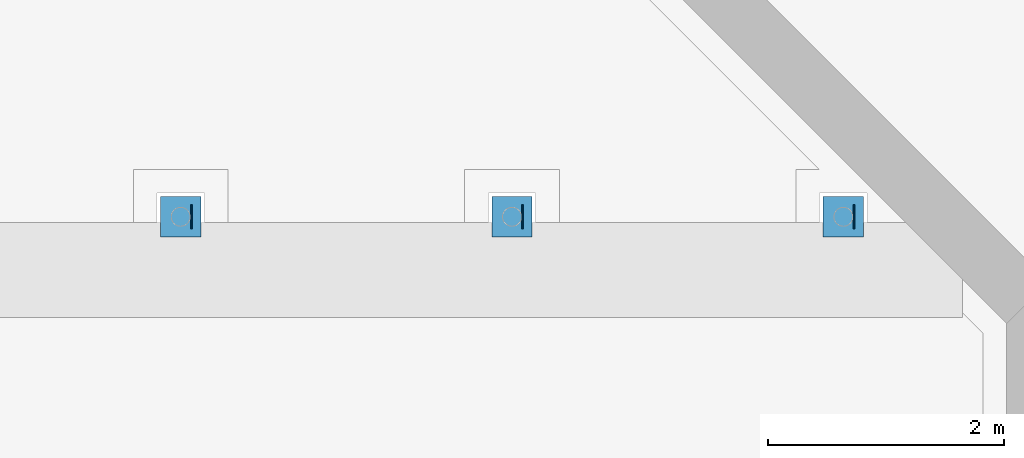
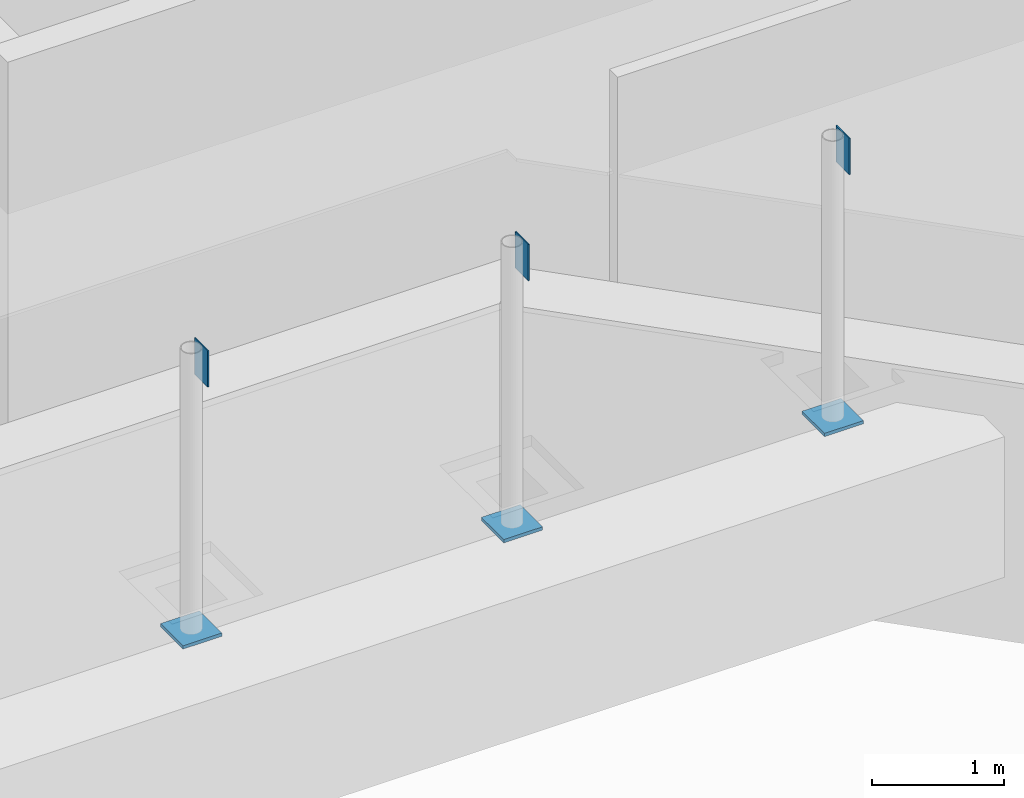
# One storey, part 41 of 47: 6 discrete accessories.
"""IFC4 building model written with IfcOpenShell, lengths in metres."""

from ifc_helpers import new_model, si_unit, direction, frame, origin, origin_2d, place, context, subcontext, project, spatial, rectangle, extrude, material, layer, layer_set, material_profile, profile_set, type_object, element, save


model = new_model("IFC4")

# Units and contexts
model_context = context("Model", 3, precision=1e-05, world=origin(), true_north=direction((0.0, 1.0)))
body_context = subcontext(model_context, "Body", "Model", "MODEL_VIEW")
ifc_project = project(units=[si_unit("LENGTHUNIT", "METRE"), si_unit("AREAUNIT", "SQUARE_METRE"), si_unit("VOLUMEUNIT", "CUBIC_METRE"), si_unit("PLANEANGLEUNIT", "RADIAN"), si_unit("MASSUNIT", "GRAM", prefix="KILO")], contexts=[model_context])

# Site, building, storey
site_placement = place(None, origin())
site = spatial("IfcSite", under=ifc_project, at=site_placement, CompositionType="ELEMENT")
building_placement = place(site_placement, origin())
building = spatial("IfcBuilding", under=site, at=building_placement, Name="Larchfold Concert Hall", CompositionType="ELEMENT")
storey_placement = place(building_placement, frame((0.0, 0.0, 24.0)))
storey = spatial("IfcBuildingStorey", under=building, at=storey_placement, Name="L05", CompositionType="ELEMENT", Elevation=24.0)

# Discrete accessories
ifc_material_1 = material(Name="Steel S355 galvanised bracket", Category="steel")
ifc_material_profile = material_profile(ifc_material_1, rectangle(XDim=0.011962890625, YDim=0.199951171875, at=origin_2d()))
ifc_profile_set = profile_set([ifc_material_profile], Name="Steel S355 galvanised bracket")
discrete_accessory_type_1 = type_object("IfcDiscreteAccessoryType", Name="Gusset plate 12x200", PredefinedType="BRACKET", material=ifc_profile_set)
for number, where, z_axis, x_axis, name in (
    (1, (49.7001953125, 101.85009765625, 4.33837890625), (0.0, 0.0, 1.0), (1.0, 0.0, 0.0), "Gusset plate GP0120"),
    (2, (52.504150390625, 101.85009765625, 4.33837890625), (0.0, 0.0, 1.0), (1.0, 0.0, 0.0), "Gusset plate GP0121"),
    (3, (55.30810546875, 101.85009765625, 4.33837890625), (0.0, 0.0, 1.0), (1.0, 0.0, 0.0), "Gusset plate GP0122"),
):
    element("IfcDiscreteAccessory", number, at=place(storey_placement, frame(where, z_axis=z_axis, x_axis=x_axis)), inside=storey, type_object=discrete_accessory_type_1, Name=name, PredefinedType="BRACKET", context=body_context, shape_type="SweptSolid", body=[
        extrude(rectangle(XDim=0.011962890625, YDim=0.199951171875, at=origin_2d()), origin(), (0.0, 0.0, 1.0), 0.336669921875),
    ])
ifc_material_2 = material(Name="Steel S355 galvanised bracket", Category="steel")
ifc_layer = layer(ifc_material_2, 0.030029296875)
ifc_layer_set = layer_set([ifc_layer], Name="Steel S355 galvanised bracket")
discrete_accessory_type_2 = type_object("IfcDiscreteAccessoryType", Name="Post base plate 340x340x30", PredefinedType="BRACKET", material=ifc_layer_set)
for number, where, z_axis, x_axis, name in (
    (4, (49.610107421875, 101.85009765625, 2.0498046875), (0.0, 0.0, 1.0), (1.0, 0.0, 0.0), "Post base plate BP048"),
    (5, (52.4140625, 101.85009765625, 2.0498046875), (0.0, 0.0, 1.0), (1.0, 0.0, 0.0), "Post base plate BP049"),
    (6, (55.218017578125, 101.85009765625, 2.0498046875), (0.0, 0.0, 1.0), (1.0, 0.0, 0.0), "Post base plate BP050"),
):
    element("IfcDiscreteAccessory", number, at=place(storey_placement, frame(where, z_axis=z_axis, x_axis=x_axis)), inside=storey, type_object=discrete_accessory_type_2, Name=name, PredefinedType="BRACKET", context=body_context, shape_type="SweptSolid", body=[
        extrude(rectangle(XDim=0.340087890625, YDim=0.340087890625, at=origin_2d()), origin(), (0.0, 0.0, 1.0), 0.030029296875),
    ])

save(model, "model.ifc")
